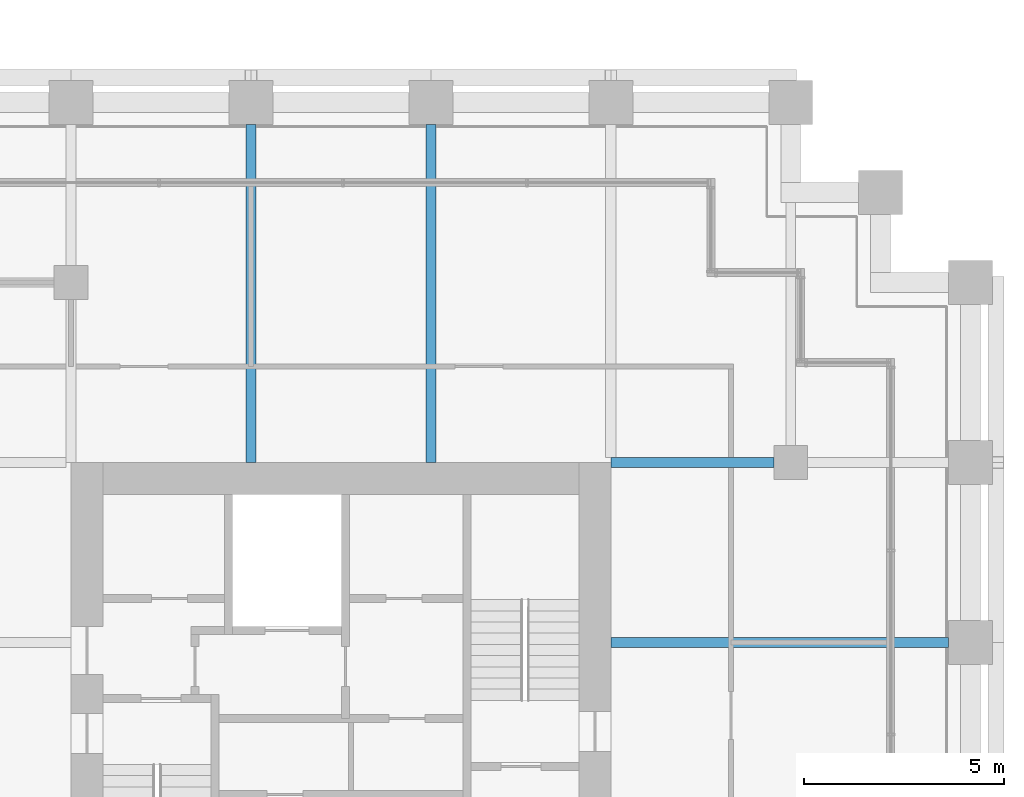
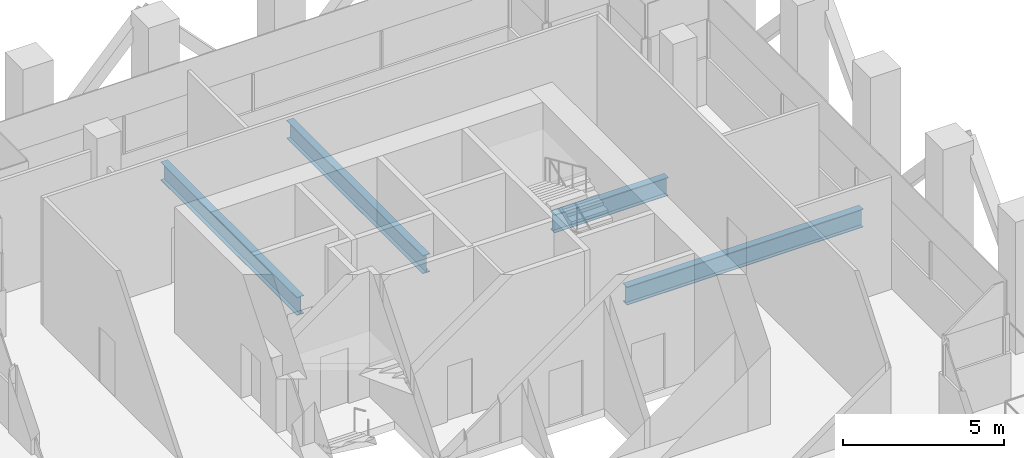
# One storey, part 30 of 44: 4 beams.
"""IFC4 building model written with IfcOpenShell, lengths in metres."""

from ifc_helpers import new_model, si_unit, direction, frame, origin, origin_2d, place, context, subcontext, project, spatial, i_section, extrude, material, material_profile, profile_set, type_object, element, save


model = new_model("IFC4")

# Units and contexts
model_context = context("Model", 3, precision=1e-05, world=origin(), true_north=direction((0.0, 1.0)))
body_context = subcontext(model_context, "Body", "Model", "MODEL_VIEW")
ifc_project = project(units=[si_unit("LENGTHUNIT", "METRE"), si_unit("AREAUNIT", "SQUARE_METRE"), si_unit("VOLUMEUNIT", "CUBIC_METRE"), si_unit("PLANEANGLEUNIT", "RADIAN"), si_unit("MASSUNIT", "GRAM", prefix="KILO")], contexts=[model_context])

# Site, building, storey
site_placement = place(None, origin())
site = spatial("IfcSite", under=ifc_project, at=site_placement, CompositionType="ELEMENT")
building_placement = place(site_placement, origin())
building = spatial("IfcBuilding", under=site, at=building_placement, Name="Altepetl Exchange Towers", CompositionType="ELEMENT")
storey_placement = place(building_placement, frame((0.0, 0.0, 87.0)))
storey = spatial("IfcBuildingStorey", under=building, at=storey_placement, Name="L21 Refuge", CompositionType="ELEMENT", Elevation=87.0)

# Beams
ifc_material = material(Name="Steel S355", Category="steel")
ifc_material_profile_1 = material_profile(ifc_material, i_section(OverallWidth=0.25390625, OverallDepth=0.68798828125, WebThickness=0.01318359375, FlangeThickness=0.02099609375, at=origin_2d()), Name="W27X102")
ifc_profile_set_1 = profile_set([ifc_material_profile_1], Name="Steel S355")
beam_type_1 = type_object("IfcBeamType", Name="Floor beam W27X102", PredefinedType="BEAM", material=ifc_profile_set_1)
for number, where, z_axis, x_axis, name in (
    (1, (108.0, 49.5, -0.5439453125), (0.0, 1.0, 0.0), (-1.0, 0.0, 0.0), "bm:B:L21:000"),
    (2, (112.5, 49.5, -0.5439453125), (0.0, 1.0, 0.0), (-1.0, 0.0, 0.0), "bm:B:L21:001"),
    (3, (117.0, 45.0, -0.5439453125), (1.0, 0.0, 0.0), (0.0, 1.0, 0.0), "bm:B:L21:007"),
):
    element("IfcBeam", number, at=place(storey_placement, frame(where, z_axis=z_axis, x_axis=x_axis)), inside=storey, type_object=beam_type_1, Name=name, PredefinedType="BEAM", context=body_context, shape_type="SweptSolid", body=[
        extrude(i_section(OverallWidth=0.25390625, OverallDepth=0.68798828125, WebThickness=0.01318359375, FlangeThickness=0.02099609375, at=origin_2d()), origin(), (0.0, 0.0, 1.0), 8.449951171875),
    ])
ifc_material_profile_2 = material_profile(ifc_material, i_section(OverallWidth=0.256103515625, OverallDepth=0.69189453125, WebThickness=0.014404296875, FlangeThickness=0.02294921875, at=origin_2d()), Name="W27X114")
ifc_profile_set_2 = profile_set([ifc_material_profile_2], Name="Steel S355")
beam_type_2 = type_object("IfcBeamType", Name="Girder W27X114", PredefinedType="BEAM", material=ifc_profile_set_2)
beam_placement = place(storey_placement, frame((117.0, 49.5, -0.5458984375), z_axis=(1.0, 0.0, 0.0), x_axis=(0.0, 1.0, 0.0)))
element("IfcBeam", 4, at=beam_placement, inside=storey, type_object=beam_type_2, Name="gd:B:L21:000", PredefinedType="BEAM", context=body_context, shape_type="SweptSolid", body=[
    extrude(i_section(OverallWidth=0.256103515625, OverallDepth=0.69189453125, WebThickness=0.014404296875, FlangeThickness=0.02294921875, at=origin_2d()), origin(), (0.0, 0.0, 1.0), 4.074951171875),
])

save(model, "model.ifc")
